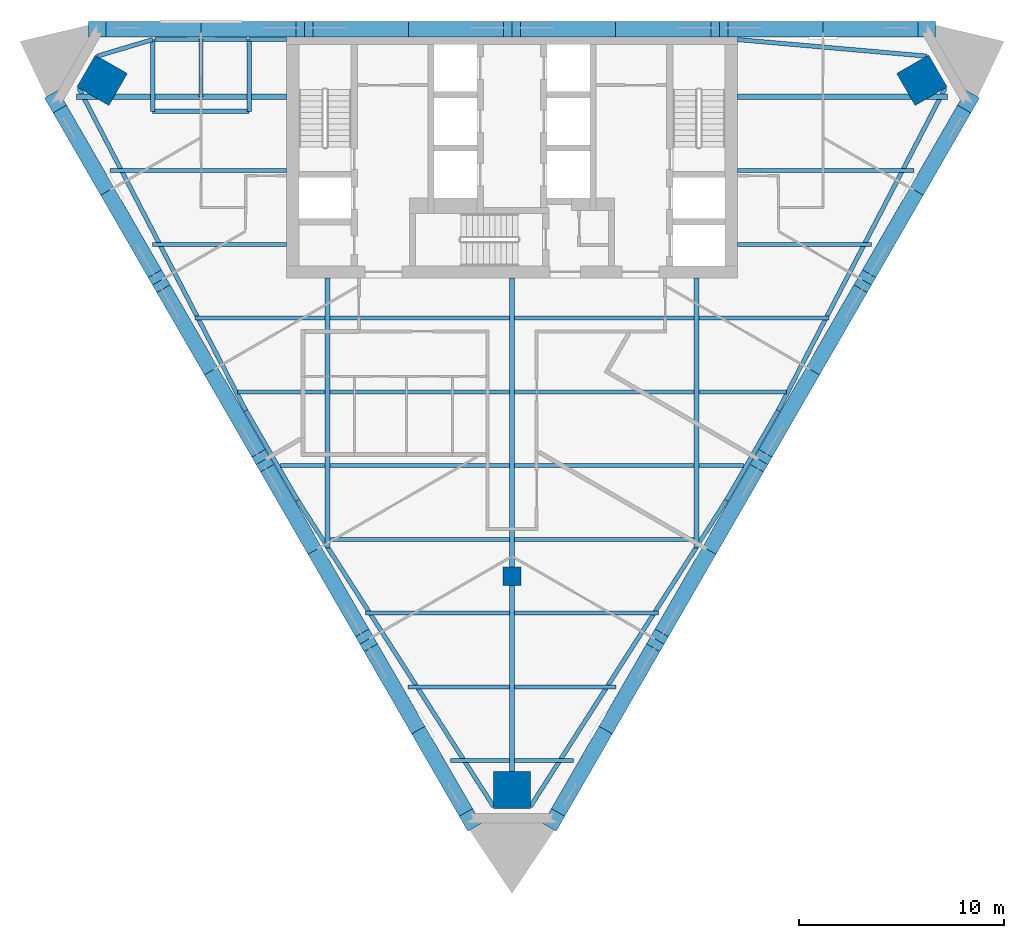
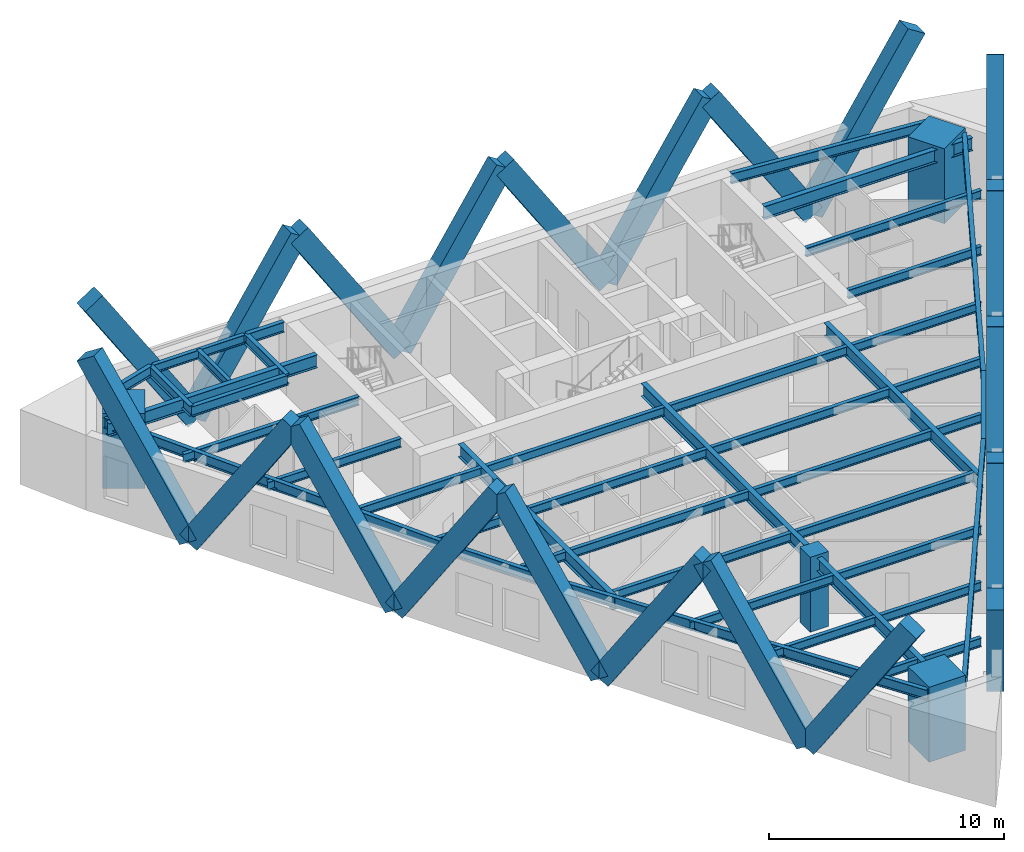
# One storey, part 1 of 7: 44 beams, 24 members, 4 columns.
"""IFC4 building model written with IfcOpenShell, lengths in metres."""

from ifc_helpers import new_model, si_unit, direction, frame, origin, origin_2d, place, context, subcontext, project, spatial, rectangle, i_section, extrude, material, material_profile, profile_set, type_object, element, save


model = new_model("IFC4")

# Units and contexts
model_context = context("Model", 3, precision=1e-05, world=origin(), true_north=direction((0.0, 1.0)))
body_context = subcontext(model_context, "Body", "Model", "MODEL_VIEW")
ifc_project = project(units=[si_unit("LENGTHUNIT", "METRE"), si_unit("AREAUNIT", "SQUARE_METRE"), si_unit("VOLUMEUNIT", "CUBIC_METRE"), si_unit("PLANEANGLEUNIT", "RADIAN"), si_unit("MASSUNIT", "GRAM", prefix="KILO")], contexts=[model_context])

# Site, building, storey
site_placement = place(None, origin())
site = spatial("IfcSite", under=ifc_project, at=site_placement, CompositionType="ELEMENT")
building_placement = place(site_placement, origin())
building = spatial("IfcBuilding", under=site, at=building_placement, Name="Aloe Facet Convention Tower", CompositionType="ELEMENT")
storey_placement = place(building_placement, frame((0.0, 0.0, 136.39990234375)))
storey = spatial("IfcBuildingStorey", under=building, at=storey_placement, Name="L34", CompositionType="ELEMENT", Elevation=136.39990234375)

# Columns
ifc_material_1 = material(Name="Concrete C70/85", Category="concrete")
ifc_material_profile_1 = material_profile(ifc_material_1, rectangle(XDim=0.89990234375, YDim=0.89990234375, at=origin_2d()), Name="SF-GC-Z3")
ifc_profile_set_1 = profile_set([ifc_material_profile_1], Name="Concrete C70/85")
column_type_1 = type_object("IfcColumnType", Name="SF-GC-Z3", PredefinedType="COLUMN", material=ifc_profile_set_1)
column_placement = place(storey_placement, frame((80.0, 108.0, 0.0), z_axis=(0.0, 0.0, 1.0), x_axis=(1.0, 0.0, 0.0)))
element("IfcColumn", 1, at=column_placement, inside=storey, type_object=column_type_1, Name="Gravity column GC-Z3-9D", PredefinedType="COLUMN", context=body_context, shape_type="SweptSolid", body=[
    extrude(rectangle(XDim=0.89990234375, YDim=0.89990234375, at=origin_2d()), origin(), (0.0, 0.0, 1.0), 3.900146484375),
])
ifc_material_2 = material(Name="Concrete C80/95", Category="concrete")
ifc_material_profile_2 = material_profile(ifc_material_2, rectangle(XDim=1.800048828125, YDim=1.800048828125, at=origin_2d()), Name="STW-MC-Z3")
ifc_profile_set_2 = profile_set([ifc_material_profile_2], Name="Concrete C80/95")
column_type_2 = type_object("IfcColumnType", Name="STW-MC-Z3", PredefinedType="COLUMN", material=ifc_profile_set_2)
for number, where, z_axis, x_axis, name in (
    (2, (100.00732421875, 132.208251953125, 0.0), (0.0, 0.0, 1.0), (-0.5, 0.866025403784, 0.0), "Mega-column MC-NE-L34"),
    (3, (59.99267578125, 132.208251953125, 0.0), (0.0, 0.0, 1.0), (-0.5, -0.866025403784, 0.0), "Mega-column MC-NW-L34"),
    (4, (80.0, 97.55419921875, 0.0), (0.0, 0.0, 1.0), (1.0, 0.0, 0.0), "Mega-column MC-S-L34"),
):
    element("IfcColumn", number, at=place(storey_placement, frame(where, z_axis=z_axis, x_axis=x_axis)), inside=storey, type_object=column_type_2, Name=name, PredefinedType="COLUMN", context=body_context, shape_type="SweptSolid", body=[
        extrude(rectangle(XDim=1.800048828125, YDim=1.800048828125, at=origin_2d()), origin(), (0.0, 0.0, 1.0), 3.900146484375),
    ])

# Beams
ifc_material_3 = material(Name="Steel S355", Category="steel")
ifc_material_profile_3 = material_profile(ifc_material_3, i_section(OverallWidth=0.19140625, OverallDepth=0.4599609375, WebThickness=0.010009765625, FlangeThickness=0.01611328125, FilletRadius=0.01025390625, at=origin_2d()), Name="UB 457x191x82")
ifc_profile_set_3 = profile_set([ifc_material_profile_3], Name="Steel S355")
beam_type_1 = type_object("IfcBeamType", Name="SF-B-UB457x191x82", PredefinedType="BEAM", material=ifc_profile_set_3)
beam_1_placement = place(storey_placement, frame((60.373779296875, 127.800048828125, 3.52001953125), z_axis=(1.0, 0.0, 0.0), x_axis=(0.0, 1.0, 0.0)))
element("IfcBeam", 5, at=beam_1_placement, inside=storey, type_object=beam_type_1, Name="Floor beam FB-Z3D-019", PredefinedType="BEAM", context=body_context, shape_type="SweptSolid", body=[
    extrude(i_section(OverallWidth=0.19140625, OverallDepth=0.4599609375, WebThickness=0.010009765625, FlangeThickness=0.01611328125, FilletRadius=0.01025390625, at=origin_2d()), origin(), (0.0, 0.0, 1.0), 8.626220703125),
])
beam_2_placement = place(storey_placement, frame((62.452392578125, 124.199951171875, 3.52001953125), z_axis=(1.0, 0.0, 0.0), x_axis=(0.0, 1.0, 0.0)))
element("IfcBeam", 6, at=beam_2_placement, inside=storey, type_object=beam_type_1, Name="Floor beam FB-Z3D-020", PredefinedType="BEAM", context=body_context, shape_type="SweptSolid", body=[
    extrude(i_section(OverallWidth=0.19140625, OverallDepth=0.4599609375, WebThickness=0.010009765625, FlangeThickness=0.01611328125, FilletRadius=0.01025390625, at=origin_2d()), origin(), (0.0, 0.0, 1.0), 6.547607421875),
])
beam_3_placement = place(storey_placement, frame((64.53076171875, 120.60009765625, 3.52001953125), z_axis=(1.0, 0.0, 0.0), x_axis=(0.0, 1.0, 0.0)))
element("IfcBeam", 7, at=beam_3_placement, inside=storey, type_object=beam_type_1, Name="Floor beam FB-Z3D-021", PredefinedType="BEAM", context=body_context, shape_type="SweptSolid", body=[
    extrude(i_section(OverallWidth=0.19140625, OverallDepth=0.4599609375, WebThickness=0.010009765625, FlangeThickness=0.01611328125, FilletRadius=0.01025390625, at=origin_2d()), origin(), (0.0, 0.0, 1.0), 6.3427734375),
])
beam_4_placement = place(storey_placement, frame((66.609130859375, 117.0, 3.52001953125), z_axis=(1.0, 0.0, 0.0), x_axis=(0.0, 1.0, 0.0)))
element("IfcBeam", 8, at=beam_4_placement, inside=storey, type_object=beam_type_1, Name="Floor beam FB-Z3D-022", PredefinedType="BEAM", context=body_context, shape_type="SweptSolid", body=[
    extrude(i_section(OverallWidth=0.19140625, OverallDepth=0.4599609375, WebThickness=0.010009765625, FlangeThickness=0.01611328125, FilletRadius=0.01025390625, at=origin_2d()), origin(), (0.0, 0.0, 1.0), 4.264404296875),
])
beam_5_placement = place(storey_placement, frame((68.687744140625, 113.39990234375, 3.52001953125), z_axis=(1.0, 0.0, 0.0), x_axis=(0.0, 1.0, 0.0)))
element("IfcBeam", 9, at=beam_5_placement, inside=storey, type_object=beam_type_1, Name="Floor beam FB-Z3D-023", PredefinedType="BEAM", context=body_context, shape_type="SweptSolid", body=[
    extrude(i_section(OverallWidth=0.19140625, OverallDepth=0.4599609375, WebThickness=0.010009765625, FlangeThickness=0.01611328125, FilletRadius=0.01025390625, at=origin_2d()), origin(), (0.0, 0.0, 1.0), 2.185791015625),
])
for number, where, z_axis, x_axis, name in (
    (10, (71.12646484375, 109.800048828125, 3.52001953125), (1.0, 0.0, 0.0), (0.0, 1.0, 0.0), "Floor beam FB-Z3D-024"),
    (11, (71.12646484375, 113.39990234375, 3.52001953125), (1.0, 0.0, 0.0), (0.0, 1.0, 0.0), "Floor beam FB-Z3D-025"),
    (12, (71.12646484375, 117.0, 3.52001953125), (1.0, 0.0, 0.0), (0.0, 1.0, 0.0), "Floor beam FB-Z3D-026"),
    (13, (71.12646484375, 120.60009765625, 3.52001953125), (1.0, 0.0, 0.0), (0.0, 1.0, 0.0), "Floor beam FB-Z3D-027"),
):
    element("IfcBeam", number, at=place(storey_placement, frame(where, z_axis=z_axis, x_axis=x_axis)), inside=storey, type_object=beam_type_1, Name=name, PredefinedType="BEAM", context=body_context, shape_type="SweptSolid", body=[
        extrude(i_section(OverallWidth=0.19140625, OverallDepth=0.4599609375, WebThickness=0.010009765625, FlangeThickness=0.01611328125, FilletRadius=0.01025390625, at=origin_2d()), origin(), (0.0, 0.0, 1.0), 8.7470703125),
    ])
beam_6_placement = place(storey_placement, frame((72.844482421875, 106.199951171875, 3.52001953125), z_axis=(1.0, 0.0, 0.0), x_axis=(0.0, 1.0, 0.0)))
element("IfcBeam", 14, at=beam_6_placement, inside=storey, type_object=beam_type_1, Name="Floor beam FB-Z3D-028", PredefinedType="BEAM", context=body_context, shape_type="SweptSolid", body=[
    extrude(i_section(OverallWidth=0.19140625, OverallDepth=0.4599609375, WebThickness=0.010009765625, FlangeThickness=0.01611328125, FilletRadius=0.01025390625, at=origin_2d()), origin(), (0.0, 0.0, 1.0), 7.029052734375),
])
beam_7_placement = place(storey_placement, frame((74.923095703125, 102.60009765625, 3.52001953125), z_axis=(1.0, 0.0, 0.0), x_axis=(0.0, 1.0, 0.0)))
element("IfcBeam", 15, at=beam_7_placement, inside=storey, type_object=beam_type_1, Name="Floor beam FB-Z3D-029", PredefinedType="BEAM", context=body_context, shape_type="SweptSolid", body=[
    extrude(i_section(OverallWidth=0.19140625, OverallDepth=0.4599609375, WebThickness=0.010009765625, FlangeThickness=0.01611328125, FilletRadius=0.01025390625, at=origin_2d()), origin(), (0.0, 0.0, 1.0), 4.950439453125),
])
for number, where, z_axis, x_axis, name in (
    (16, (77.00146484375, 99.0, 3.52001953125), (1.0, 0.0, 0.0), (0.0, 1.0, 0.0), "Floor beam FB-Z3D-030"),
    (17, (80.12646484375, 99.0, 3.52001953125), (1.0, 0.0, 0.0), (0.0, 1.0, 0.0), "Floor beam FB-Z3D-031"),
):
    element("IfcBeam", number, at=place(storey_placement, frame(where, z_axis=z_axis, x_axis=x_axis)), inside=storey, type_object=beam_type_1, Name=name, PredefinedType="BEAM", context=body_context, shape_type="SweptSolid", body=[
        extrude(i_section(OverallWidth=0.19140625, OverallDepth=0.4599609375, WebThickness=0.010009765625, FlangeThickness=0.01611328125, FilletRadius=0.01025390625, at=origin_2d()), origin(), (0.0, 0.0, 1.0), 2.8720703125),
    ])
beam_8_placement = place(storey_placement, frame((80.12646484375, 102.60009765625, 3.52001953125), z_axis=(1.0, 0.0, 0.0), x_axis=(0.0, 1.0, 0.0)))
element("IfcBeam", 18, at=beam_8_placement, inside=storey, type_object=beam_type_1, Name="Floor beam FB-Z3D-032", PredefinedType="BEAM", context=body_context, shape_type="SweptSolid", body=[
    extrude(i_section(OverallWidth=0.19140625, OverallDepth=0.4599609375, WebThickness=0.010009765625, FlangeThickness=0.01611328125, FilletRadius=0.01025390625, at=origin_2d()), origin(), (0.0, 0.0, 1.0), 4.950439453125),
])
beam_9_placement = place(storey_placement, frame((80.12646484375, 106.199951171875, 3.52001953125), z_axis=(1.0, 0.0, 0.0), x_axis=(0.0, 1.0, 0.0)))
element("IfcBeam", 19, at=beam_9_placement, inside=storey, type_object=beam_type_1, Name="Floor beam FB-Z3D-033", PredefinedType="BEAM", context=body_context, shape_type="SweptSolid", body=[
    extrude(i_section(OverallWidth=0.19140625, OverallDepth=0.4599609375, WebThickness=0.010009765625, FlangeThickness=0.01611328125, FilletRadius=0.01025390625, at=origin_2d()), origin(), (0.0, 0.0, 1.0), 7.029052734375),
])
for number, where, z_axis, x_axis, name in (
    (20, (80.12646484375, 109.800048828125, 3.52001953125), (1.0, 0.0, 0.0), (0.0, 1.0, 0.0), "Floor beam FB-Z3D-034"),
    (21, (80.12646484375, 113.39990234375, 3.52001953125), (1.0, 0.0, 0.0), (0.0, 1.0, 0.0), "Floor beam FB-Z3D-035"),
    (22, (80.12646484375, 117.0, 3.52001953125), (1.0, 0.0, 0.0), (0.0, 1.0, 0.0), "Floor beam FB-Z3D-036"),
    (23, (80.12646484375, 120.60009765625, 3.52001953125), (1.0, 0.0, 0.0), (0.0, 1.0, 0.0), "Floor beam FB-Z3D-037"),
):
    element("IfcBeam", number, at=place(storey_placement, frame(where, z_axis=z_axis, x_axis=x_axis)), inside=storey, type_object=beam_type_1, Name=name, PredefinedType="BEAM", context=body_context, shape_type="SweptSolid", body=[
        extrude(i_section(OverallWidth=0.19140625, OverallDepth=0.4599609375, WebThickness=0.010009765625, FlangeThickness=0.01611328125, FilletRadius=0.01025390625, at=origin_2d()), origin(), (0.0, 0.0, 1.0), 8.7470703125),
    ])
beam_10_placement = place(storey_placement, frame((89.12646484375, 113.39990234375, 3.52001953125), z_axis=(1.0, 0.0, 0.0), x_axis=(0.0, 1.0, 0.0)))
element("IfcBeam", 24, at=beam_10_placement, inside=storey, type_object=beam_type_1, Name="Floor beam FB-Z3D-038", PredefinedType="BEAM", context=body_context, shape_type="SweptSolid", body=[
    extrude(i_section(OverallWidth=0.19140625, OverallDepth=0.4599609375, WebThickness=0.010009765625, FlangeThickness=0.01611328125, FilletRadius=0.01025390625, at=origin_2d()), origin(), (0.0, 0.0, 1.0), 2.185791015625),
])
beam_11_placement = place(storey_placement, frame((89.12646484375, 117.0, 3.52001953125), z_axis=(1.0, 0.0, 0.0), x_axis=(0.0, 1.0, 0.0)))
element("IfcBeam", 25, at=beam_11_placement, inside=storey, type_object=beam_type_1, Name="Floor beam FB-Z3D-039", PredefinedType="BEAM", context=body_context, shape_type="SweptSolid", body=[
    extrude(i_section(OverallWidth=0.19140625, OverallDepth=0.4599609375, WebThickness=0.010009765625, FlangeThickness=0.01611328125, FilletRadius=0.01025390625, at=origin_2d()), origin(), (0.0, 0.0, 1.0), 4.264404296875),
])
beam_12_placement = place(storey_placement, frame((89.12646484375, 120.60009765625, 3.52001953125), z_axis=(1.0, 0.0, 0.0), x_axis=(0.0, 1.0, 0.0)))
element("IfcBeam", 26, at=beam_12_placement, inside=storey, type_object=beam_type_1, Name="Floor beam FB-Z3D-040", PredefinedType="BEAM", context=body_context, shape_type="SweptSolid", body=[
    extrude(i_section(OverallWidth=0.19140625, OverallDepth=0.4599609375, WebThickness=0.010009765625, FlangeThickness=0.01611328125, FilletRadius=0.01025390625, at=origin_2d()), origin(), (0.0, 0.0, 1.0), 6.3427734375),
])
beam_13_placement = place(storey_placement, frame((91.0, 124.199951171875, 3.52001953125), z_axis=(1.0, 0.0, 0.0), x_axis=(0.0, 1.0, 0.0)))
element("IfcBeam", 27, at=beam_13_placement, inside=storey, type_object=beam_type_1, Name="Floor beam FB-Z3D-041", PredefinedType="BEAM", context=body_context, shape_type="SweptSolid", body=[
    extrude(i_section(OverallWidth=0.19140625, OverallDepth=0.4599609375, WebThickness=0.010009765625, FlangeThickness=0.01611328125, FilletRadius=0.01025390625, at=origin_2d()), origin(), (0.0, 0.0, 1.0), 6.547607421875),
])
beam_14_placement = place(storey_placement, frame((91.0, 127.800048828125, 3.52001953125), z_axis=(1.0, 0.0, 0.0), x_axis=(0.0, 1.0, 0.0)))
element("IfcBeam", 28, at=beam_14_placement, inside=storey, type_object=beam_type_1, Name="Floor beam FB-Z3D-042", PredefinedType="BEAM", context=body_context, shape_type="SweptSolid", body=[
    extrude(i_section(OverallWidth=0.19140625, OverallDepth=0.4599609375, WebThickness=0.010009765625, FlangeThickness=0.01611328125, FilletRadius=0.01025390625, at=origin_2d()), origin(), (0.0, 0.0, 1.0), 8.626220703125),
])
beam_15_placement = place(storey_placement, frame((62.567626953125, 134.1953125, 3.52001953125), z_axis=(1.0, 0.0, 0.0), x_axis=(0.0, 1.0, 0.0)))
element("IfcBeam", 29, at=beam_15_placement, inside=storey, type_object=beam_type_1, Name="Terrace beam FB-T07-2", PredefinedType="BEAM", context=body_context, shape_type="SweptSolid", body=[
    extrude(i_section(OverallWidth=0.19140625, OverallDepth=0.4599609375, WebThickness=0.010009765625, FlangeThickness=0.01611328125, FilletRadius=0.01025390625, at=origin_2d()), origin(), (0.0, 0.0, 1.0), 4.5),
])
beam_16_placement = place(storey_placement, frame((64.817626953125, 131.39990234375, 3.52001953125), z_axis=(0.0, 1.0, 0.0), x_axis=(-1.0, 0.0, 0.0)))
element("IfcBeam", 30, at=beam_16_placement, inside=storey, type_object=beam_type_1, Name="Terrace beam FB-T07-3", PredefinedType="BEAM", context=body_context, shape_type="SweptSolid", body=[
    extrude(i_section(OverallWidth=0.19140625, OverallDepth=0.4599609375, WebThickness=0.010009765625, FlangeThickness=0.01611328125, FilletRadius=0.01025390625, at=origin_2d()), origin(), (0.0, 0.0, 1.0), 2.79541015625),
])
ifc_material_4 = material(Name="Steel S355", Category="steel")
ifc_material_profile_4 = material_profile(ifc_material_4, i_section(OverallWidth=0.209228515625, OverallDepth=0.533203125, WebThickness=0.010009765625, FlangeThickness=0.015625, FilletRadius=0.0126953125, at=origin_2d()), Name="UB 533x210x92")
ifc_profile_set_4 = profile_set([ifc_material_profile_4], Name="Steel S355")
beam_type_2 = type_object("IfcBeamType", Name="SF-B-UB533x210x92", PredefinedType="BEAM", material=ifc_profile_set_4)
beam_17_placement = place(storey_placement, frame((59.75390625, 133.38525390625, 3.483642578125), z_axis=(0.958082561259, 0.286492243895, 0.0), x_axis=(-0.286492243895, 0.958082561259, 0.0)))
element("IfcBeam", 31, at=beam_17_placement, inside=storey, type_object=beam_type_2, Name="Floor beam FB-Z3D-001", PredefinedType="BEAM", context=body_context, shape_type="SweptSolid", body=[
    extrude(i_section(OverallWidth=0.209228515625, OverallDepth=0.533203125, WebThickness=0.010009765625, FlangeThickness=0.015625, FilletRadius=0.0126953125, at=origin_2d()), origin(), (0.0, 0.0, 1.0), 2.827392578125),
])
beam_18_placement = place(storey_placement, frame((62.462890625, 130.6953125, 3.483642578125), z_axis=(1.0, 0.0, 0.0), x_axis=(0.0, 1.0, 0.0)))
element("IfcBeam", 32, at=beam_18_placement, inside=storey, type_object=beam_type_2, Name="Floor beam FB-Z3D-002", PredefinedType="BEAM", context=body_context, shape_type="SweptSolid", body=[
    extrude(i_section(OverallWidth=0.209228515625, OverallDepth=0.533203125, WebThickness=0.010009765625, FlangeThickness=0.015625, FilletRadius=0.0126953125, at=origin_2d()), origin(), (0.0, 0.0, 1.0), 4.70947265625),
])
beam_19_placement = place(storey_placement, frame((62.462890625, 134.1953125, 3.483642578125), z_axis=(0.0, -1.0, 0.0), x_axis=(1.0, 0.0, 0.0)))
element("IfcBeam", 33, at=beam_19_placement, inside=storey, type_object=beam_type_2, Name="Floor beam FB-Z3D-003", PredefinedType="BEAM", context=body_context, shape_type="SweptSolid", body=[
    extrude(i_section(OverallWidth=0.209228515625, OverallDepth=0.533203125, WebThickness=0.010009765625, FlangeThickness=0.015625, FilletRadius=0.0126953125, at=origin_2d()), origin(), (0.0, 0.0, 1.0), 3.5),
])
beam_20_placement = place(storey_placement, frame((67.010009765625, 116.0791015625, 3.483642578125), z_axis=(-0.459916083949, 0.887962384184, 0.0), x_axis=(-0.887962384184, -0.459916083949, 0.0)))
element("IfcBeam", 34, at=beam_20_placement, inside=storey, type_object=beam_type_2, Name="Floor beam FB-Z3D-004", PredefinedType="BEAM", context=body_context, shape_type="SweptSolid", body=[
    extrude(i_section(OverallWidth=0.209228515625, OverallDepth=0.533203125, WebThickness=0.010009765625, FlangeThickness=0.015625, FilletRadius=0.0126953125, at=origin_2d()), origin(), (0.0, 0.0, 1.0), 17.734130859375),
])
beam_21_placement = place(storey_placement, frame((67.17236328125, 130.6953125, 3.483642578125), z_axis=(0.0, 1.0, 0.0), x_axis=(-1.0, 0.0, 0.0)))
element("IfcBeam", 35, at=beam_21_placement, inside=storey, type_object=beam_type_2, Name="Floor beam FB-Z3D-005", PredefinedType="BEAM", context=body_context, shape_type="SweptSolid", body=[
    extrude(i_section(OverallWidth=0.209228515625, OverallDepth=0.533203125, WebThickness=0.010009765625, FlangeThickness=0.015625, FilletRadius=0.0126953125, at=origin_2d()), origin(), (0.0, 0.0, 1.0), 3.5),
])
beam_22_placement = place(storey_placement, frame((67.17236328125, 134.1953125, 3.483642578125), z_axis=(1.0, 0.0, 0.0), x_axis=(0.0, 1.0, 0.0)))
element("IfcBeam", 36, at=beam_22_placement, inside=storey, type_object=beam_type_2, Name="Floor beam FB-Z3D-006", PredefinedType="BEAM", context=body_context, shape_type="SweptSolid", body=[
    extrude(i_section(OverallWidth=0.209228515625, OverallDepth=0.533203125, WebThickness=0.010009765625, FlangeThickness=0.015625, FilletRadius=0.0126953125, at=origin_2d()), origin(), (0.0, 0.0, 1.0), 1.82763671875),
])
beam_23_placement = place(storey_placement, frame((69.54052734375, 111.6962890625, 3.483642578125), z_axis=(-0.500014760403, 0.866016881694, 0.0), x_axis=(-0.866016881694, -0.500014760403, 0.0)))
element("IfcBeam", 37, at=beam_23_placement, inside=storey, type_object=beam_type_2, Name="Floor beam FB-Z3D-007", PredefinedType="BEAM", context=body_context, shape_type="SweptSolid", body=[
    extrude(i_section(OverallWidth=0.209228515625, OverallDepth=0.533203125, WebThickness=0.010009765625, FlangeThickness=0.015625, FilletRadius=0.0126953125, at=origin_2d()), origin(), (0.0, 0.0, 1.0), 5.060791015625),
])
for number, where, z_axis, x_axis, name in (
    (38, (69.54052734375, 111.6962890625, 3.483642578125), (0.539036507864, -0.842282401092, 0.0), (0.842282401092, 0.539036507864, 0.0), "Floor beam FB-Z3D-008"),
    (39, (90.45947265625, 111.6962890625, 3.483642578125), (-0.539036507864, -0.842282401092, 0.0), (0.842282401092, -0.539036507864, 0.0), "Floor beam FB-Z3D-009"),
):
    element("IfcBeam", number, at=place(storey_placement, frame(where, z_axis=z_axis, x_axis=x_axis)), inside=storey, type_object=beam_type_2, Name=name, PredefinedType="BEAM", context=body_context, shape_type="SweptSolid", body=[
        extrude(i_section(OverallWidth=0.209228515625, OverallDepth=0.533203125, WebThickness=0.010009765625, FlangeThickness=0.015625, FilletRadius=0.0126953125, at=origin_2d()), origin(), (0.0, 0.0, 1.0), 17.734619140625),
    ])
beam_24_placement = place(storey_placement, frame((91.0, 134.1953125, 3.483642578125), z_axis=(0.996184118201, -0.087276587035, 0.0), x_axis=(0.087276587035, 0.996184118201, 0.0)))
element("IfcBeam", 40, at=beam_24_placement, inside=storey, type_object=beam_type_2, Name="Floor beam FB-Z3D-010", PredefinedType="BEAM", context=body_context, shape_type="SweptSolid", body=[
    extrude(i_section(OverallWidth=0.209228515625, OverallDepth=0.533203125, WebThickness=0.010009765625, FlangeThickness=0.015625, FilletRadius=0.0126953125, at=origin_2d()), origin(), (0.0, 0.0, 1.0), 9.281494140625),
])
beam_25_placement = place(storey_placement, frame((92.989990234375, 116.0791015625, 3.483642578125), z_axis=(-0.500014760403, -0.866016881694, 0.0), x_axis=(0.866016881694, -0.500014760403, 0.0)))
element("IfcBeam", 41, at=beam_25_placement, inside=storey, type_object=beam_type_2, Name="Floor beam FB-Z3D-011", PredefinedType="BEAM", context=body_context, shape_type="SweptSolid", body=[
    extrude(i_section(OverallWidth=0.209228515625, OverallDepth=0.533203125, WebThickness=0.010009765625, FlangeThickness=0.015625, FilletRadius=0.0126953125, at=origin_2d()), origin(), (0.0, 0.0, 1.0), 5.060791015625),
])
beam_26_placement = place(storey_placement, frame((92.989990234375, 116.0791015625, 3.483642578125), z_axis=(0.459916083949, 0.887962384184, 0.0), x_axis=(-0.887962384184, 0.459916083949, 0.0)))
element("IfcBeam", 42, at=beam_26_placement, inside=storey, type_object=beam_type_2, Name="Floor beam FB-Z3D-012", PredefinedType="BEAM", context=body_context, shape_type="SweptSolid", body=[
    extrude(i_section(OverallWidth=0.209228515625, OverallDepth=0.533203125, WebThickness=0.010009765625, FlangeThickness=0.015625, FilletRadius=0.0126953125, at=origin_2d()), origin(), (0.0, 0.0, 1.0), 17.734130859375),
])
ifc_material_5 = material(Name="Steel S355", Category="steel")
ifc_material_profile_5 = material_profile(ifc_material_5, i_section(OverallWidth=0.2529296875, OverallDepth=0.677978515625, WebThickness=0.01171875, FlangeThickness=0.01611328125, FilletRadius=0.01513671875, at=origin_2d()), Name="UB 686x254x125")
ifc_profile_set_5 = profile_set([ifc_material_profile_5], Name="Steel S355")
beam_type_3 = type_object("IfcBeamType", Name="SF-B-UB686x254x125", PredefinedType="BEAM", material=ifc_profile_set_5)
beam_27_placement = place(storey_placement, frame((58.73828125, 131.39990234375, 3.4111328125), z_axis=(1.0, 0.0, 0.0), x_axis=(0.0, 1.0, 0.0)))
element("IfcBeam", 43, at=beam_27_placement, inside=storey, type_object=beam_type_3, Name="Floor beam FB-Z3D-013", PredefinedType="BEAM", context=body_context, shape_type="SweptSolid", body=[
    extrude(i_section(OverallWidth=0.2529296875, OverallDepth=0.677978515625, WebThickness=0.01171875, FlangeThickness=0.01611328125, FilletRadius=0.01513671875, at=origin_2d()), origin(), (0.0, 0.0, 1.0), 10.26171875),
])
beam_28_placement = place(storey_placement, frame((71.0, 122.550048828125, 3.4111328125), z_axis=(0.0, -1.0, 0.0), x_axis=(1.0, 0.0, 0.0)))
element("IfcBeam", 44, at=beam_28_placement, inside=storey, type_object=beam_type_3, Name="Floor beam FB-Z3D-014", PredefinedType="BEAM", context=body_context, shape_type="SweptSolid", body=[
    extrude(i_section(OverallWidth=0.2529296875, OverallDepth=0.677978515625, WebThickness=0.01171875, FlangeThickness=0.01611328125, FilletRadius=0.01513671875, at=origin_2d()), origin(), (0.0, 0.0, 1.0), 13.162353515625),
])
beam_29_placement = place(storey_placement, frame((80.0, 107.550048828125, 3.4111328125), z_axis=(0.0, -1.0, 0.0), x_axis=(1.0, 0.0, 0.0)))
element("IfcBeam", 45, at=beam_29_placement, inside=storey, type_object=beam_type_3, Name="Floor beam FB-Z3D-015", PredefinedType="BEAM", context=body_context, shape_type="SweptSolid", body=[
    extrude(i_section(OverallWidth=0.2529296875, OverallDepth=0.677978515625, WebThickness=0.01171875, FlangeThickness=0.01611328125, FilletRadius=0.01513671875, at=origin_2d()), origin(), (0.0, 0.0, 1.0), 10.676513671875),
])
beam_30_placement = place(storey_placement, frame((80.0, 122.550048828125, 3.4111328125), z_axis=(0.0, -1.0, 0.0), x_axis=(1.0, 0.0, 0.0)))
element("IfcBeam", 46, at=beam_30_placement, inside=storey, type_object=beam_type_3, Name="Floor beam FB-Z3D-016", PredefinedType="BEAM", context=body_context, shape_type="SweptSolid", body=[
    extrude(i_section(OverallWidth=0.2529296875, OverallDepth=0.677978515625, WebThickness=0.01171875, FlangeThickness=0.01611328125, FilletRadius=0.01513671875, at=origin_2d()), origin(), (0.0, 0.0, 1.0), 14.10009765625),
])
beam_31_placement = place(storey_placement, frame((89.0, 122.550048828125, 3.4111328125), z_axis=(0.0, -1.0, 0.0), x_axis=(1.0, 0.0, 0.0)))
element("IfcBeam", 47, at=beam_31_placement, inside=storey, type_object=beam_type_3, Name="Floor beam FB-Z3D-017", PredefinedType="BEAM", context=body_context, shape_type="SweptSolid", body=[
    extrude(i_section(OverallWidth=0.2529296875, OverallDepth=0.677978515625, WebThickness=0.01171875, FlangeThickness=0.01611328125, FilletRadius=0.01513671875, at=origin_2d()), origin(), (0.0, 0.0, 1.0), 13.162353515625),
])
beam_32_placement = place(storey_placement, frame((91.0, 131.39990234375, 3.4111328125), z_axis=(1.0, 0.0, 0.0), x_axis=(0.0, 1.0, 0.0)))
element("IfcBeam", 48, at=beam_32_placement, inside=storey, type_object=beam_type_3, Name="Floor beam FB-Z3D-018", PredefinedType="BEAM", context=body_context, shape_type="SweptSolid", body=[
    extrude(i_section(OverallWidth=0.2529296875, OverallDepth=0.677978515625, WebThickness=0.01171875, FlangeThickness=0.01611328125, FilletRadius=0.01513671875, at=origin_2d()), origin(), (0.0, 0.0, 1.0), 10.26171875),
])

# Members
ifc_material_6 = material(Name="Concrete C60/75, bronze oxide finish", Category="concrete")
ifc_material_profile_6 = material_profile(ifc_material_6, rectangle(XDim=0.75, YDim=1.0, at=origin_2d()), Name="STW-LM")
ifc_profile_set_6 = profile_set([ifc_material_profile_6], Name="Concrete C60/75, bronze oxide finish")
member_type = type_object("IfcMemberType", Name="STW-LM", PredefinedType="BRACE", material=ifc_profile_set_6)
for number, where, z_axis, x_axis, name in (
    (49, (95.182373046875, 134.699951171875, 0.0), (0.544289502455, 0.0, 0.838897453517), (0.0, 1.0, 0.0), "Lattice member LM-Z3-F1-R1-01"),
    (50, (95.182373046875, 134.699951171875, 0.0), (-0.544289502455, 0.0, 0.838897453517), (0.0, -1.0, 0.0), "Lattice member LM-Z3-F1-R1-02"),
    (51, (85.060791015625, 134.699951171875, 0.0), (0.544289502455, 0.0, 0.838897453517), (0.0, 1.0, 0.0), "Lattice member LM-Z3-F1-R1-03"),
    (52, (85.060791015625, 134.699951171875, 0.0), (-0.544289502455, 0.0, 0.838897453517), (0.0, -1.0, 0.0), "Lattice member LM-Z3-F1-R1-04"),
    (53, (74.939208984375, 134.699951171875, 0.0), (0.544289502455, 0.0, 0.838897453517), (0.0, 1.0, 0.0), "Lattice member LM-Z3-F1-R1-05"),
    (54, (74.939208984375, 134.699951171875, 0.0), (-0.544289502455, 0.0, 0.838897453517), (0.0, -1.0, 0.0), "Lattice member LM-Z3-F1-R1-06"),
    (55, (64.817626953125, 134.699951171875, 0.0), (0.544289502455, 0.0, 0.838897453517), (0.0, 1.0, 0.0), "Lattice member LM-Z3-F1-R1-07"),
    (56, (64.817626953125, 134.699951171875, 0.0), (-0.544289502455, 0.0, 0.838897453517), (0.0, -1.0, 0.0), "Lattice member LM-Z3-F1-R1-08"),
):
    element("IfcMember", number, at=place(storey_placement, frame(where, z_axis=z_axis, x_axis=x_axis)), inside=storey, type_object=member_type, Name=name, PredefinedType="BRACE", context=body_context, shape_type="SweptSolid", body=[
        extrude(rectangle(XDim=0.75, YDim=1.0, at=origin_2d()), origin(), (0.0, 0.0, 1.0), 9.298095703125),
    ])
for number, where, z_axis, x_axis, name in (
    (57, (60.2470703125, 126.783447265625, 0.0), (-0.272132057907, 0.471373475835, 0.838898795647), (-0.866037770685, -0.499978579288, 0.0), "Lattice member LM-Z3-F2-R1-01"),
    (58, (60.2470703125, 126.783447265625, 0.0), (0.272159738981, -0.47134968398, 0.83890318386), (0.866004820053, 0.500035650373, 0.0), "Lattice member LM-Z3-F2-R1-02"),
    (59, (65.307861328125, 118.01806640625, 0.0), (-0.272132057907, 0.471373475835, 0.838898795647), (-0.866037770685, -0.499978579288, 0.0), "Lattice member LM-Z3-F2-R1-03"),
):
    element("IfcMember", number, at=place(storey_placement, frame(where, z_axis=z_axis, x_axis=x_axis)), inside=storey, type_object=member_type, Name=name, PredefinedType="BRACE", context=body_context, shape_type="SweptSolid", body=[
        extrude(rectangle(XDim=0.75, YDim=1.0, at=origin_2d()), origin(), (0.0, 0.0, 1.0), 9.2978515625),
    ])
member_1_placement = place(storey_placement, frame((65.307861328125, 118.01806640625, 0.0), z_axis=(0.272156370565, -0.471370107514, 0.838892801079), x_axis=(0.866016881694, 0.500014760403, 0.0)))
element("IfcMember", 60, at=member_1_placement, inside=storey, type_object=member_type, Name="Lattice member LM-Z3-F2-R1-04", PredefinedType="BRACE", context=body_context, shape_type="SweptSolid", body=[
    extrude(rectangle(XDim=0.75, YDim=1.0, at=origin_2d()), origin(), (0.0, 0.0, 1.0), 9.298095703125),
])
for number, where, z_axis, x_axis, name in (
    (61, (70.36865234375, 109.25244140625, 0.0), (-0.272132057907, 0.471373475835, 0.838898795647), (-0.866037770685, -0.499978579288, 0.0), "Lattice member LM-Z3-F2-R1-05"),
    (62, (70.36865234375, 109.25244140625, 0.0), (0.272135426071, -0.471353052238, 0.83890917865), (0.866025710499, 0.499999468754, 0.0), "Lattice member LM-Z3-F2-R1-06"),
):
    element("IfcMember", number, at=place(storey_placement, frame(where, z_axis=z_axis, x_axis=x_axis)), inside=storey, type_object=member_type, Name=name, PredefinedType="BRACE", context=body_context, shape_type="SweptSolid", body=[
        extrude(rectangle(XDim=0.75, YDim=1.0, at=origin_2d()), origin(), (0.0, 0.0, 1.0), 9.2978515625),
    ])
member_2_placement = place(storey_placement, frame((75.429443359375, 100.487060546875, 0.0), z_axis=(-0.272156370565, 0.471370107514, 0.838892801079), x_axis=(-0.866016881694, -0.500014760403, 0.0)))
element("IfcMember", 63, at=member_2_placement, inside=storey, type_object=member_type, Name="Lattice member LM-Z3-F2-R1-07", PredefinedType="BRACE", context=body_context, shape_type="SweptSolid", body=[
    extrude(rectangle(XDim=0.75, YDim=1.0, at=origin_2d()), origin(), (0.0, 0.0, 1.0), 9.298095703125),
])
for number, where, z_axis, x_axis, name in (
    (64, (75.429443359375, 100.487060546875, 0.0), (0.272132057907, -0.471373475835, 0.838898795647), (0.866037770685, 0.499978579288, 0.0), "Lattice member LM-Z3-F2-R1-08"),
    (65, (84.570556640625, 100.487060546875, 0.0), (-0.272132057907, -0.471373475835, 0.838898795647), (0.866037770685, -0.499978579288, 0.0), "Lattice member LM-Z3-F3-R1-01"),
):
    element("IfcMember", number, at=place(storey_placement, frame(where, z_axis=z_axis, x_axis=x_axis)), inside=storey, type_object=member_type, Name=name, PredefinedType="BRACE", context=body_context, shape_type="SweptSolid", body=[
        extrude(rectangle(XDim=0.75, YDim=1.0, at=origin_2d()), origin(), (0.0, 0.0, 1.0), 9.2978515625),
    ])
member_3_placement = place(storey_placement, frame((84.570556640625, 100.487060546875, 0.0), z_axis=(0.272156370565, 0.471370107514, 0.838892801079), x_axis=(-0.866016881694, 0.500014760403, 0.0)))
element("IfcMember", 66, at=member_3_placement, inside=storey, type_object=member_type, Name="Lattice member LM-Z3-F3-R1-02", PredefinedType="BRACE", context=body_context, shape_type="SweptSolid", body=[
    extrude(rectangle(XDim=0.75, YDim=1.0, at=origin_2d()), origin(), (0.0, 0.0, 1.0), 9.298095703125),
])
for number, where, z_axis, x_axis, name in (
    (67, (89.63134765625, 109.25244140625, 0.0), (-0.272135426071, -0.471353052238, 0.83890917865), (0.866025710499, -0.499999468754, 0.0), "Lattice member LM-Z3-F3-R1-03"),
    (68, (89.63134765625, 109.25244140625, 0.0), (0.272132057907, 0.471373475835, 0.838898795647), (-0.866037770685, 0.499978579288, 0.0), "Lattice member LM-Z3-F3-R1-04"),
):
    element("IfcMember", number, at=place(storey_placement, frame(where, z_axis=z_axis, x_axis=x_axis)), inside=storey, type_object=member_type, Name=name, PredefinedType="BRACE", context=body_context, shape_type="SweptSolid", body=[
        extrude(rectangle(XDim=0.75, YDim=1.0, at=origin_2d()), origin(), (0.0, 0.0, 1.0), 9.2978515625),
    ])
member_4_placement = place(storey_placement, frame((94.692138671875, 118.01806640625, 0.0), z_axis=(-0.272156370565, -0.471370107514, 0.838892801079), x_axis=(0.866016881694, -0.500014760403, 0.0)))
element("IfcMember", 69, at=member_4_placement, inside=storey, type_object=member_type, Name="Lattice member LM-Z3-F3-R1-05", PredefinedType="BRACE", context=body_context, shape_type="SweptSolid", body=[
    extrude(rectangle(XDim=0.75, YDim=1.0, at=origin_2d()), origin(), (0.0, 0.0, 1.0), 9.298095703125),
])
for number, where, z_axis, x_axis, name in (
    (70, (94.692138671875, 118.01806640625, 0.0), (0.272132057907, 0.471373475835, 0.838898795647), (-0.866037770685, 0.499978579288, 0.0), "Lattice member LM-Z3-F3-R1-06"),
    (71, (99.7529296875, 126.783447265625, 0.0), (-0.272159738981, -0.47134968398, 0.83890318386), (0.866004820053, -0.500035650373, 0.0), "Lattice member LM-Z3-F3-R1-07"),
    (72, (99.7529296875, 126.783447265625, 0.0), (0.272132057907, 0.471373475835, 0.838898795647), (-0.866037770685, 0.499978579288, 0.0), "Lattice member LM-Z3-F3-R1-08"),
):
    element("IfcMember", number, at=place(storey_placement, frame(where, z_axis=z_axis, x_axis=x_axis)), inside=storey, type_object=member_type, Name=name, PredefinedType="BRACE", context=body_context, shape_type="SweptSolid", body=[
        extrude(rectangle(XDim=0.75, YDim=1.0, at=origin_2d()), origin(), (0.0, 0.0, 1.0), 9.2978515625),
    ])

save(model, "model.ifc")
